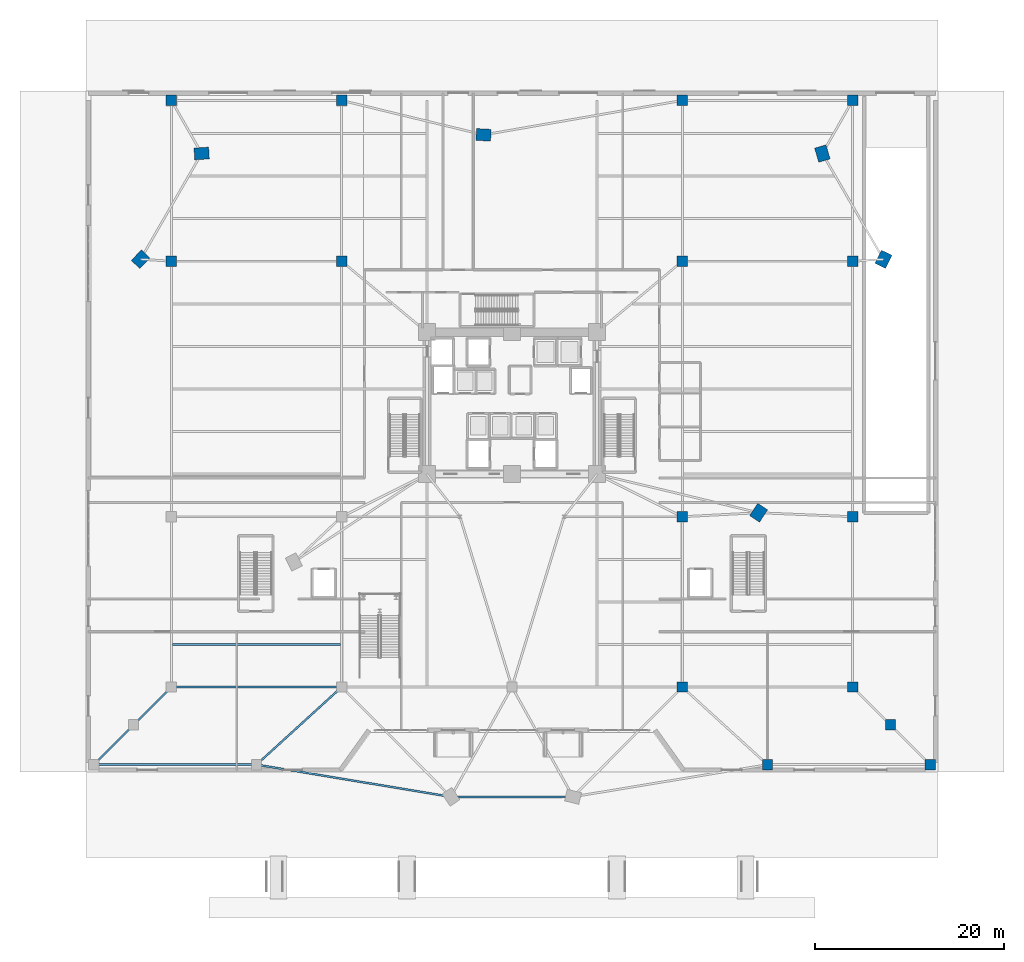
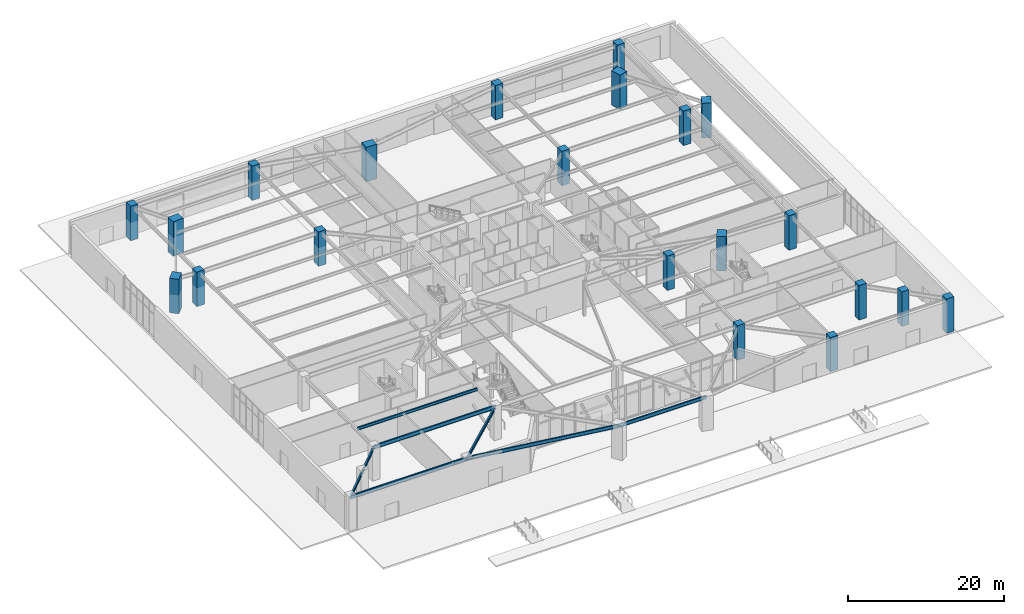
# One storey, part 4 of 30: 21 columns, 8 beams.
"""IFC4 building model written with IfcOpenShell, lengths in metres."""

from ifc_helpers import new_model, si_unit, direction, frame, origin, origin_2d, place, context, subcontext, project, spatial, rectangle, i_section, extrude, source, transform, mapped, material, material_profile, profile_set, type_object, element, save


model = new_model("IFC4")

# Units and contexts
model_context = context("Model", 3, precision=1e-05, world=origin(), true_north=direction((0.0, 1.0)))
body_context = subcontext(model_context, "Body", "Model", "MODEL_VIEW")
ifc_project = project(units=[si_unit("LENGTHUNIT", "METRE"), si_unit("AREAUNIT", "SQUARE_METRE"), si_unit("VOLUMEUNIT", "CUBIC_METRE"), si_unit("PLANEANGLEUNIT", "RADIAN"), si_unit("MASSUNIT", "GRAM", prefix="KILO")], contexts=[model_context])

# Site, building, storey
site_placement = place(None, origin())
site = spatial("IfcSite", under=ifc_project, at=site_placement, CompositionType="ELEMENT")
building_placement = place(site_placement, origin())
building = spatial("IfcBuilding", under=site, at=building_placement, Name="Liaohun Quay Tower", CompositionType="ELEMENT")
storey_placement = place(building_placement, origin())
storey = spatial("IfcBuildingStorey", under=building, at=storey_placement, Name="L01", CompositionType="ELEMENT", Elevation=0.0)

# Columns
ifc_material_1 = material(Name="Concrete C60", Category="concrete")
ifc_material_profile_1 = material_profile(ifc_material_1, rectangle(XDim=1.550048828125, YDim=1.25, at=origin_2d()), Name="RC1550x1250")
ifc_profile_set_1 = profile_set([ifc_material_profile_1], Name="Concrete C60")
column_type_1 = type_object("IfcColumnType", Name="COL-PIER-Z1", PredefinedType="COLUMN", material=ifc_profile_set_1)
shared_shape_1 = source(origin(), body_context, "Body", "SweptSolid", [
    extrude(rectangle(XDim=1.550048828125, YDim=1.25, at=origin_2d()), origin(), (0.0, 0.0, 1.0), 5.39990234375),
])
for number, where, z_axis, x_axis, name in (
    (1, (20.748046875, 69.217041015625, 0.0), (0.0, 0.0, 1.0), (0.68936671806, 0.724412539946, 0.0), "L01 Tower Mega-Pier PC03"),
    (2, (27.198974609375, 80.39111328125, 0.0), (0.0, 0.0, 1.0), (0.997824541457, 0.065925597951, 0.0), "L01 Tower Mega-Pier PC05"),
    (3, (92.802978515625, 80.384033203125, 0.0), (0.0, 0.0, 1.0), (-0.282676303383, 0.959215360337, 0.0), "L01 Tower Mega-Pier PC07"),
    (4, (99.256103515625, 69.2119140625, 0.0), (0.0, 0.0, 1.0), (0.441819028143, 0.897104200397, 0.0), "L01 Tower Mega-Pier PC09"),
    (5, (56.9951171875, 82.360107421875, 0.0), (0.0, 0.0, 1.0), (-0.998479491627, 0.055124448298, 0.0), "L01 Tower Mega-Pier PC06"),
    (6, (86.06396484375, 42.423095703125, 0.0), (0.0, 0.0, 1.0), (0.546978918409, 0.837146380758, 0.0), "L01 Tower Mega-Pier PC10"),
):
    element("IfcColumn", number, at=place(storey_placement, frame(where, z_axis=z_axis, x_axis=x_axis)), inside=storey, type_object=column_type_1, Name=name, PredefinedType="COLUMN", context=body_context, shape_type="MappedRepresentation", body=[
        mapped(shared_shape_1, transform((0.0, 0.0, 0.0), x_axis=(1.0, 0.0, 0.0), y_axis=(0.0, 1.0, 0.0), z_axis=(0.0, 0.0, 1.0), scale=1.0)),
    ])
ifc_material_2 = material(Name="Concrete C55", Category="concrete")
ifc_material_profile_2 = material_profile(ifc_material_2, rectangle(XDim=1.10009765625, YDim=1.10009765625, at=origin_2d()), Name="RC1100x1100")
ifc_profile_set_2 = profile_set([ifc_material_profile_2], Name="Concrete C55")
column_type_2 = type_object("IfcColumnType", Name="COL-POD-P", PredefinedType="COLUMN", material=ifc_profile_set_2)
shared_shape_2 = source(origin(), body_context, "Body", "SweptSolid", [
    extrude(rectangle(XDim=1.10009765625, YDim=1.10009765625, at=origin_2d()), origin(), (0.0, 0.0, 1.0), 5.39990234375),
])
for number, where, z_axis, x_axis, name in (
    (7, (78.0, 24.0, 0.0), (0.0, 0.0, 1.0), (1.0, 0.0, 0.0), "L01 Podium Column PG04"),
    (8, (96.0, 24.0, 0.0), (0.0, 0.0, 1.0), (1.0, 0.0, 0.0), "L01 Podium Column PG05"),
    (9, (78.0, 42.0, 0.0), (0.0, 0.0, 1.0), (1.0, 0.0, 0.0), "L01 Podium Column PG08"),
    (10, (96.0, 42.0, 0.0), (0.0, 0.0, 1.0), (1.0, 0.0, 0.0), "L01 Podium Column PG09"),
    (11, (24.0, 69.0, 0.0), (0.0, 0.0, 1.0), (1.0, 0.0, 0.0), "L01 Podium Column PG10"),
    (12, (42.0, 69.0, 0.0), (0.0, 0.0, 1.0), (1.0, 0.0, 0.0), "L01 Podium Column PG11"),
    (13, (78.0, 69.0, 0.0), (0.0, 0.0, 1.0), (1.0, 0.0, 0.0), "L01 Podium Column PG12"),
    (14, (96.0, 69.0, 0.0), (0.0, 0.0, 1.0), (1.0, 0.0, 0.0), "L01 Podium Column PG13"),
    (15, (24.0, 86.0, 0.0), (0.0, 0.0, 1.0), (1.0, 0.0, 0.0), "L01 Podium Column PG14"),
    (16, (42.0, 86.0, 0.0), (0.0, 0.0, 1.0), (1.0, 0.0, 0.0), "L01 Podium Column PG15"),
    (17, (78.0, 86.0, 0.0), (0.0, 0.0, 1.0), (1.0, 0.0, 0.0), "L01 Podium Column PG17"),
    (18, (96.0, 86.0, 0.0), (0.0, 0.0, 1.0), (1.0, 0.0, 0.0), "L01 Podium Column PG18"),
    (19, (87.0, 15.800048828125, 0.0), (0.0, 0.0, 1.0), (1.0, 0.0, 0.0), "L01 Podium Column PT03"),
    (20, (104.199951171875, 15.800048828125, 0.0), (0.0, 0.0, 1.0), (1.0, 0.0, 0.0), "L01 Podium Column PT04"),
    (21, (100.0, 20.0, 0.0), (0.0, 0.0, 1.0), (1.0, 0.0, 0.0), "L01 Podium Column PT06"),
):
    element("IfcColumn", number, at=place(storey_placement, frame(where, z_axis=z_axis, x_axis=x_axis)), inside=storey, type_object=column_type_2, Name=name, PredefinedType="COLUMN", context=body_context, shape_type="MappedRepresentation", body=[
        mapped(shared_shape_2, transform((0.0, 0.0, 0.0), x_axis=(1.0, 0.0, 0.0), y_axis=(0.0, 1.0, 0.0), z_axis=(0.0, 0.0, 1.0), scale=1.0)),
    ])

# Beams
ifc_material_3 = material(Name="Steel Q355D", Category="steel")
ifc_material_profile_3 = material_profile(ifc_material_3, i_section(OverallWidth=0.199951171875, OverallDepth=0.449951171875, WebThickness=0.009033203125, FlangeThickness=0.013916015625, at=origin_2d()), Name="HN450x200x9x14")
ifc_profile_set_3 = profile_set([ifc_material_profile_3], Name="Steel Q355D")
beam_type_1 = type_object("IfcBeamType", Name="BM-SEC-J1", PredefinedType="JOIST", material=ifc_profile_set_3)
shared_shape_3 = source(origin(), body_context, "Body", "SweptSolid", [
    extrude(i_section(OverallWidth=0.199951171875, OverallDepth=0.449951171875, WebThickness=0.009033203125, FlangeThickness=0.013916015625, at=origin_2d()), origin(), (0.0, 0.0, 1.0), 17.7998046875),
])
beam_1_placement = place(storey_placement, frame((24.10009765625, 28.5, 4.925048828125), z_axis=(1.0, 0.0, 0.0), x_axis=(0.0, 1.0, 0.0)))
element("IfcBeam", 22, at=beam_1_placement, inside=storey, type_object=beam_type_1, Name="L01 Composite Floor Joist SJ-01", PredefinedType="JOIST", context=body_context, shape_type="MappedRepresentation", body=[
    mapped(shared_shape_3, transform((0.0, 0.0, 0.0), x_axis=(1.0, 0.0, 0.0), y_axis=(0.0, 1.0, 0.0), z_axis=(0.0, 0.0, 1.0), scale=1.0)),
])
ifc_material_profile_4 = material_profile(ifc_material_3, i_section(OverallWidth=0.199951171875, OverallDepth=0.60009765625, WebThickness=0.010986328125, FlangeThickness=0.01708984375, at=origin_2d()), Name="HN600x200x11x17")
ifc_profile_set_4 = profile_set([ifc_material_profile_4], Name="Steel Q355D")
beam_type_2 = type_object("IfcBeamType", Name="BM-POD-G1", PredefinedType="BEAM", material=ifc_profile_set_4)
shared_shape_4 = source(origin(), body_context, "Body", "SweptSolid", [
    extrude(i_section(OverallWidth=0.199951171875, OverallDepth=0.60009765625, WebThickness=0.010986328125, FlangeThickness=0.01708984375, at=origin_2d()), origin(), (0.0, 0.0, 1.0), 18.0),
])
beam_2_placement = place(storey_placement, frame((24.0, 24.0, 4.85009765625), z_axis=(1.0, 0.0, 0.0), x_axis=(0.0, 1.0, 0.0)))
element("IfcBeam", 23, at=beam_2_placement, inside=storey, type_object=beam_type_2, Name="L01 Primary Grid Girder PG01-PG02", PredefinedType="BEAM", context=body_context, shape_type="MappedRepresentation", body=[
    mapped(shared_shape_4, transform((0.0, 0.0, 0.0), x_axis=(1.0, 0.0, 0.0), y_axis=(0.0, 1.0, 0.0), z_axis=(0.0, 0.0, 1.0), scale=1.0)),
])
ifc_material_profile_5 = material_profile(ifc_material_3, i_section(OverallWidth=0.199951171875, OverallDepth=0.550048828125, WebThickness=0.010009765625, FlangeThickness=0.01611328125, at=origin_2d()), Name="HN550x200x10x16")
ifc_profile_set_5 = profile_set([ifc_material_profile_5], Name="Steel Q355D")
beam_type_3 = type_object("IfcBeamType", Name="BM-POD-G2", PredefinedType="BEAM", material=ifc_profile_set_5)
shared_shape_5 = source(origin(), body_context, "Body", "SweptSolid", [
    extrude(i_section(OverallWidth=0.199951171875, OverallDepth=0.550048828125, WebThickness=0.010009765625, FlangeThickness=0.01611328125, at=origin_2d()), origin(), (0.0, 0.0, 1.0), 12.902099609375),
])
beam_3_placement = place(storey_placement, frame((53.5458984375, 12.39697265625, 4.875), z_axis=(0.999999988542, 0.000151380398, 0.0), x_axis=(-0.000151380398, 0.999999988542, 0.0)))
element("IfcBeam", 24, at=beam_3_placement, inside=storey, type_object=beam_type_3, Name="L01 Primary Grid Girder PC01-PC11", PredefinedType="BEAM", context=body_context, shape_type="MappedRepresentation", body=[
    mapped(shared_shape_5, transform((0.0, 0.0, 0.0), x_axis=(1.0, 0.0, 0.0), y_axis=(0.0, 1.0, 0.0), z_axis=(0.0, 0.0, 1.0), scale=1.0)),
])
shared_shape_6 = source(origin(), body_context, "Body", "SweptSolid", [
    extrude(i_section(OverallWidth=0.199951171875, OverallDepth=0.550048828125, WebThickness=0.010009765625, FlangeThickness=0.01611328125, at=origin_2d()), origin(), (0.0, 0.0, 1.0), 17.199951171875),
])
beam_4_placement = place(storey_placement, frame((15.800048828125, 15.800048828125, 4.875), z_axis=(1.0, 0.0, 0.0), x_axis=(0.0, 1.0, 0.0)))
element("IfcBeam", 25, at=beam_4_placement, inside=storey, type_object=beam_type_3, Name="L01 Perimeter Tie Girder PT01-PT02", PredefinedType="BEAM", context=body_context, shape_type="MappedRepresentation", body=[
    mapped(shared_shape_6, transform((0.0, 0.0, 0.0), x_axis=(1.0, 0.0, 0.0), y_axis=(0.0, 1.0, 0.0), z_axis=(0.0, 0.0, 1.0), scale=1.0)),
])
shared_shape_7 = source(origin(), body_context, "Body", "SweptSolid", [
    extrude(i_section(OverallWidth=0.199951171875, OverallDepth=0.550048828125, WebThickness=0.010009765625, FlangeThickness=0.01611328125, at=origin_2d()), origin(), (0.0, 0.0, 1.0), 20.825927734375),
])
beam_5_placement = place(storey_placement, frame((33.0, 15.800048828125, 4.875), z_axis=(0.986558813697, -0.163406569991, 0.0), x_axis=(0.163406569991, 0.986558813697, 0.0)))
element("IfcBeam", 26, at=beam_5_placement, inside=storey, type_object=beam_type_3, Name="L01 Perimeter Tie Girder PT02-PC01", PredefinedType="BEAM", context=body_context, shape_type="MappedRepresentation", body=[
    mapped(shared_shape_7, transform((0.0, 0.0, 0.0), x_axis=(1.0, 0.0, 0.0), y_axis=(0.0, 1.0, 0.0), z_axis=(0.0, 0.0, 1.0), scale=1.0)),
])
shared_shape_8 = source(origin(), body_context, "Body", "SweptSolid", [
    extrude(i_section(OverallWidth=0.199951171875, OverallDepth=0.550048828125, WebThickness=0.010009765625, FlangeThickness=0.01611328125, at=origin_2d()), origin(), (0.0, 0.0, 1.0), 5.939697265625),
])
beam_6_placement = place(storey_placement, frame((15.800048828125, 15.800048828125, 4.875), z_axis=(0.707106781187, 0.707106781187, 0.0), x_axis=(-0.707106781187, 0.707106781187, 0.0)))
element("IfcBeam", 27, at=beam_6_placement, inside=storey, type_object=beam_type_3, Name="L01 Perimeter Tie Girder PT01-PT05", PredefinedType="BEAM", context=body_context, shape_type="MappedRepresentation", body=[
    mapped(shared_shape_8, transform((0.0, 0.0, 0.0), x_axis=(1.0, 0.0, 0.0), y_axis=(0.0, 1.0, 0.0), z_axis=(0.0, 0.0, 1.0), scale=1.0)),
])
shared_shape_9 = source(origin(), body_context, "Body", "SweptSolid", [
    extrude(i_section(OverallWidth=0.199951171875, OverallDepth=0.550048828125, WebThickness=0.010009765625, FlangeThickness=0.01611328125, at=origin_2d()), origin(), (0.0, 0.0, 1.0), 12.17529296875),
])
beam_7_placement = place(storey_placement, frame((33.0, 15.800048828125, 4.875), z_axis=(0.739198333818, 0.673487804849, 0.0), x_axis=(-0.673487804849, 0.739198333818, 0.0)))
element("IfcBeam", 28, at=beam_7_placement, inside=storey, type_object=beam_type_3, Name="L01 Perimeter Tie Girder PT02-PG02", PredefinedType="BEAM", context=body_context, shape_type="MappedRepresentation", body=[
    mapped(shared_shape_9, transform((0.0, 0.0, 0.0), x_axis=(1.0, 0.0, 0.0), y_axis=(0.0, 1.0, 0.0), z_axis=(0.0, 0.0, 1.0), scale=1.0)),
])
shared_shape_10 = source(origin(), body_context, "Body", "SweptSolid", [
    extrude(i_section(OverallWidth=0.199951171875, OverallDepth=0.550048828125, WebThickness=0.010009765625, FlangeThickness=0.01611328125, at=origin_2d()), origin(), (0.0, 0.0, 1.0), 5.65673828125),
])
beam_8_placement = place(storey_placement, frame((20.0, 20.0, 4.875), z_axis=(0.707106781187, 0.707106781187, 0.0), x_axis=(-0.707106781187, 0.707106781187, 0.0)))
element("IfcBeam", 29, at=beam_8_placement, inside=storey, type_object=beam_type_3, Name="L01 Perimeter Tie Girder PT05-PG01", PredefinedType="BEAM", context=body_context, shape_type="MappedRepresentation", body=[
    mapped(shared_shape_10, transform((0.0, 0.0, 0.0), x_axis=(1.0, 0.0, 0.0), y_axis=(0.0, 1.0, 0.0), z_axis=(0.0, 0.0, 1.0), scale=1.0)),
])

save(model, "model.ifc")
